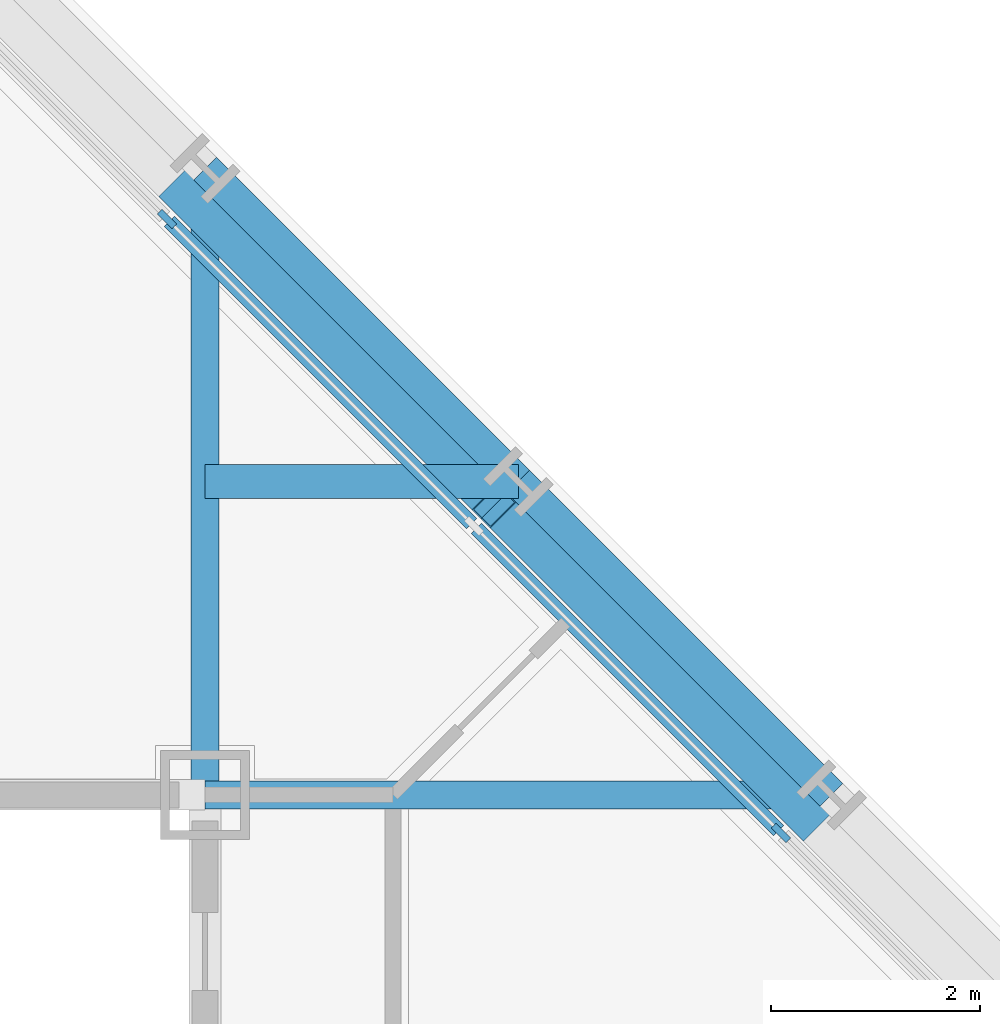
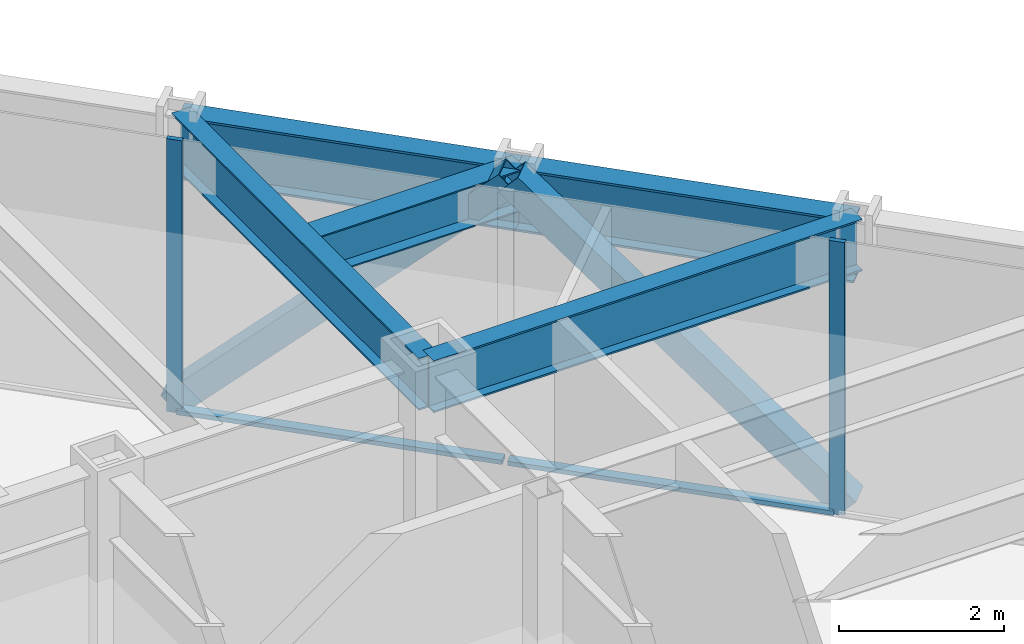
# One storey, part 8 of 15: 6 members, 5 beams, 1 element without a shape of its own.
"""IFC4 building model written with IfcOpenShell, lengths in metres."""

from ifc_helpers import new_model, si_unit, direction, frame, origin, origin_2d, place, context, subcontext, project, spatial, rectangle, hollow_rectangle, i_section, extrude, material, layer, layer_set, material_profile, profile_set, type_object, element, aggregate, save


model = new_model("IFC4")

# Units and contexts
model_context = context("Model", 3, precision=1e-05, world=origin(), true_north=direction((0.0, 1.0)))
body_context = subcontext(model_context, "Body", "Model", "MODEL_VIEW")
ifc_project = project(units=[si_unit("LENGTHUNIT", "METRE"), si_unit("AREAUNIT", "SQUARE_METRE"), si_unit("VOLUMEUNIT", "CUBIC_METRE"), si_unit("PLANEANGLEUNIT", "RADIAN"), si_unit("MASSUNIT", "GRAM", prefix="KILO")], contexts=[model_context])

# Site, building, storey
site_placement = place(None, origin())
site = spatial("IfcSite", under=ifc_project, at=site_placement, CompositionType="ELEMENT")
building_placement = place(site_placement, origin())
building = spatial("IfcBuilding", under=site, at=building_placement, Name="Chuquiago Exchange Tower", CompositionType="ELEMENT")
storey_placement = place(building_placement, frame((0.0, 0.0, 184.5)))
storey = spatial("IfcBuildingStorey", under=building, at=storey_placement, Name="L40", CompositionType="ELEMENT", Elevation=184.5)

# Beam
ifc_material_1 = material(Name="Steel ASTM A992", Category="steel")
ifc_material_profile_1 = material_profile(ifc_material_1, i_section(OverallWidth=0.3251953125, OverallDepth=0.612060546875, WebThickness=0.0126953125, FlangeThickness=0.01904296875, at=origin_2d()), Name="W24X104")
ifc_profile_set_1 = profile_set([ifc_material_profile_1], Name="Steel ASTM A992")
beam_type_1 = type_object("IfcBeamType", Name="B2 W24X104", PredefinedType="BEAM", material=ifc_profile_set_1)
beam_placement = place(storey_placement, frame((33.0, 36.0, 3.73388671875), z_axis=(1.0, 0.0, 0.0), x_axis=(0.0, 1.0, 0.0)))
element("IfcBeam", 1, at=beam_placement, inside=storey, type_object=beam_type_1, Name="FB-L41-corner-33_36-36_36-0", PredefinedType="BEAM", context=body_context, shape_type="SweptSolid", body=[
    extrude(i_section(OverallWidth=0.3251953125, OverallDepth=0.612060546875, WebThickness=0.0126953125, FlangeThickness=0.01904296875, at=origin_2d()), origin(), (0.0, 0.0, 1.0), 3.0),
])

# Curtain wall, members
ifc_material_2 = material(Name="Aluminium curtain wall system", Category="aluminium")
ifc_layer = layer(ifc_material_2, 0.199951171875)
ifc_layer_set = layer_set([ifc_layer], Name="CW3 facet curtain wall")
curtain_wall_type = type_object("IfcCurtainWallType", Name="CW3 facet curtain wall", PredefinedType="NOTDEFINED", material=ifc_layer_set)
curtain_wall_placement = place(storey_placement, origin())
curtain_wall = element("IfcCurtainWall", 2, at=curtain_wall_placement, inside=storey, type_object=curtain_wall_type, Name="CW3 curtain wall L40", PredefinedType="NOTDEFINED")
ifc_material_3 = material(Name="Aluminium mullion, pale anodised", Category="aluminium")
ifc_material_profile_2 = material_profile(ifc_material_3, rectangle(XDim=0.06494140625, YDim=0.199951171875, at=origin_2d()), Name="AL 65x200")
ifc_profile_set_2 = profile_set([ifc_material_profile_2], Name="Aluminium mullion, pale anodised")
member_type_1 = type_object("IfcMemberType", Name="CW3-M mullion 65x200", PredefinedType="MULLION", material=ifc_profile_set_2)
member_1_placement = place(storey_placement, frame((38.51708984375, 32.63427734375, 0.0), z_axis=(0.0, 0.0, 1.0), x_axis=(-0.707106781187, -0.707106781187, 0.0)))
member_1 = element("IfcMember", 3, at=member_1_placement, type_object=member_type_1, Name="CW3 mullion 3", PredefinedType="MULLION", context=body_context, shape_type="SweptSolid", body=[
    extrude(rectangle(XDim=0.06494140625, YDim=0.199951171875, at=origin_2d()), origin(), (0.0, 0.0, 1.0), 4.0400390625),
])
member_2_placement = place(storey_placement, frame((32.63427734375, 38.51708984375, 0.0), z_axis=(0.0, 0.0, 1.0), x_axis=(-0.707106781187, -0.707106781187, 0.0)))
member_2 = element("IfcMember", 4, at=member_2_placement, type_object=member_type_1, Name="CW3 mullion 5", PredefinedType="MULLION", context=body_context, shape_type="SweptSolid", body=[
    extrude(rectangle(XDim=0.06494140625, YDim=0.199951171875, at=origin_2d()), origin(), (0.0, 0.0, 1.0), 4.0400390625),
])
ifc_material_4 = material(Name="Aluminium transom, pale anodised", Category="aluminium")
ifc_material_profile_3 = material_profile(ifc_material_4, rectangle(XDim=0.139892578125, YDim=0.06494140625, at=origin_2d()), Name="AL 140x65")
ifc_profile_set_3 = profile_set([ifc_material_profile_3], Name="Aluminium transom, pale anodised")
member_type_2 = type_object("IfcMemberType", Name="CW3-T transom 65x140", PredefinedType="MULLION", material=ifc_profile_set_3)
member_3_placement = place(storey_placement, frame((38.494140625, 32.6572265625, 0.032470703125), z_axis=(-0.707106781187, 0.707106781187, 0.0), x_axis=(-0.707106781187, -0.707106781187, 0.0)))
member_3 = element("IfcMember", 5, at=member_3_placement, type_object=member_type_2, Name="CW3 transom 3.1", PredefinedType="MULLION", context=body_context, shape_type="SweptSolid", body=[
    extrude(rectangle(XDim=0.139892578125, YDim=0.06494140625, at=origin_2d()), origin(), (0.0, 0.0, 1.0), 4.094970703125),
])
member_4_placement = place(storey_placement, frame((35.552734375, 35.5986328125, 0.032470703125), z_axis=(-0.707106781187, 0.707106781187, 0.0), x_axis=(-0.707106781187, -0.707106781187, 0.0)))
member_4 = element("IfcMember", 6, at=member_4_placement, type_object=member_type_2, Name="CW3 transom 4.1", PredefinedType="MULLION", context=body_context, shape_type="SweptSolid", body=[
    extrude(rectangle(XDim=0.139892578125, YDim=0.06494140625, at=origin_2d()), origin(), (0.0, 0.0, 1.0), 4.094970703125),
])
aggregate(curtain_wall, [member_1, member_2, member_3, member_4])

# Beams
ifc_material_5 = material(Name="Steel ASTM A992", Category="steel")
ifc_material_profile_4 = material_profile(ifc_material_5, i_section(OverallWidth=0.2666015625, OverallDepth=0.76953125, WebThickness=0.015625, FlangeThickness=0.025390625, at=origin_2d()), Name="W30X132")
ifc_profile_set_4 = profile_set([ifc_material_profile_4], Name="Steel ASTM A992")
beam_type_2 = type_object("IfcBeamType", Name="G1 W30X132", PredefinedType="BEAM", material=ifc_profile_set_4)
for number, where, z_axis, x_axis, name in (
    (7, (33.0, 33.0, 3.6552734375), (0.0, 1.0, 0.0), (-1.0, 0.0, 0.0), "FB-L41-girder-33_33-33_39-0"),
    (8, (33.0, 33.0, 3.6552734375), (1.0, 0.0, 0.0), (0.0, 1.0, 0.0), "FB-L41-girder-33_33-39_33-0"),
):
    element("IfcBeam", number, at=place(storey_placement, frame(where, z_axis=z_axis, x_axis=x_axis)), inside=storey, type_object=beam_type_2, Name=name, PredefinedType="BEAM", context=body_context, shape_type="SweptSolid", body=[
        extrude(i_section(OverallWidth=0.2666015625, OverallDepth=0.76953125, WebThickness=0.015625, FlangeThickness=0.025390625, at=origin_2d()), origin(), (0.0, 0.0, 1.0), 6.0),
    ])

# Members
ifc_material_6 = material(Name="Steel ASTM A500 Grade C", Category="steel")
ifc_material_profile_5 = material_profile(ifc_material_6, hollow_rectangle(XDim=0.355712890625, YDim=0.355712890625, WallThickness=0.0146484375, at=origin_2d()), Name="HSS14X14X5/8")
ifc_profile_set_5 = profile_set([ifc_material_profile_5], Name="Steel ASTM A500 Grade C")
member_type_3 = type_object("IfcMemberType", Name="LB2 HSS14X14X5/8", PredefinedType="BRACE", material=ifc_profile_set_5)
for number, where, z_axis, x_axis, name in (
    (9, (38.7685546875, 32.7685546875, 0.0), (-0.512077265487, 0.512077265487, 0.689604051861), (-0.707106781187, -0.707106781187, 0.0), "LB-L40-39_33-36_36"),
    (10, (32.7685546875, 38.7685546875, 0.0), (0.512077265487, -0.512077265487, 0.689604051861), (0.707106781187, 0.707106781187, 0.0), "LB-L40-36_36-33_39"),
):
    element("IfcMember", number, at=place(storey_placement, frame(where, z_axis=z_axis, x_axis=x_axis)), inside=storey, type_object=member_type_3, Name=name, PredefinedType="BRACE", context=body_context, shape_type="SweptSolid", body=[
        extrude(hollow_rectangle(XDim=0.355712890625, YDim=0.355712890625, WallThickness=0.0146484375, at=origin_2d()), origin(), (0.0, 0.0, 1.0), 5.8583984375),
    ])

# Beams
ifc_material_7 = material(Name="Steel ASTM A992", Category="steel")
ifc_material_profile_6 = material_profile(ifc_material_7, i_section(OverallWidth=0.307373046875, OverallDepth=0.927001953125, WebThickness=0.01953125, FlangeThickness=0.031982421875, at=origin_2d()), Name="W36X194")
ifc_profile_set_6 = profile_set([ifc_material_profile_6], Name="Steel ASTM A992")
beam_type_3 = type_object("IfcBeamType", Name="SP3 W36X194", PredefinedType="SPANDREL", material=ifc_profile_set_6)
for number, where, z_axis, x_axis, name in (
    (11, (39.0, 33.0, 3.576416015625), (-0.707106781187, 0.707106781187, 0.0), (-0.707106781187, -0.707106781187, 0.0), "SPB-L41-39_33-36_36"),
    (12, (36.0, 36.0, 3.576416015625), (-0.707106781187, 0.707106781187, 0.0), (-0.707106781187, -0.707106781187, 0.0), "SPB-L41-36_36-33_39"),
):
    element("IfcBeam", number, at=place(storey_placement, frame(where, z_axis=z_axis, x_axis=x_axis)), inside=storey, type_object=beam_type_3, Name=name, PredefinedType="SPANDREL", context=body_context, shape_type="SweptSolid", body=[
        extrude(i_section(OverallWidth=0.307373046875, OverallDepth=0.927001953125, WebThickness=0.01953125, FlangeThickness=0.031982421875, at=origin_2d()), origin(), (0.0, 0.0, 1.0), 4.24267578125),
    ])

save(model, "model.ifc")
